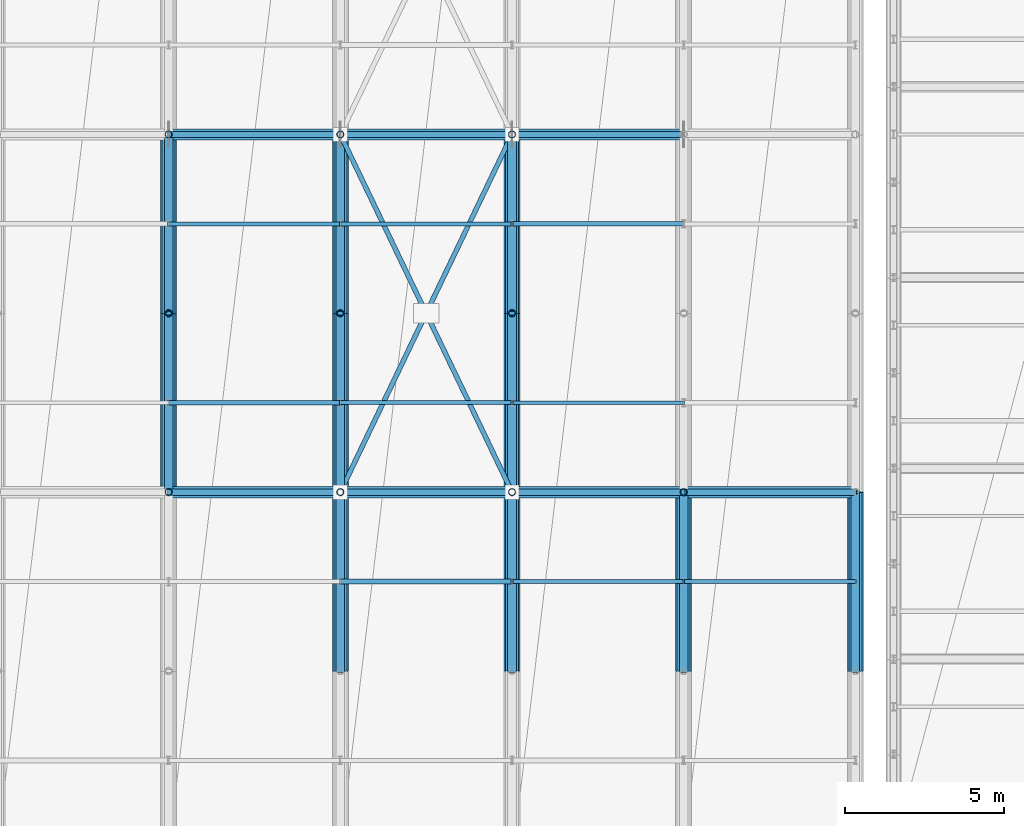
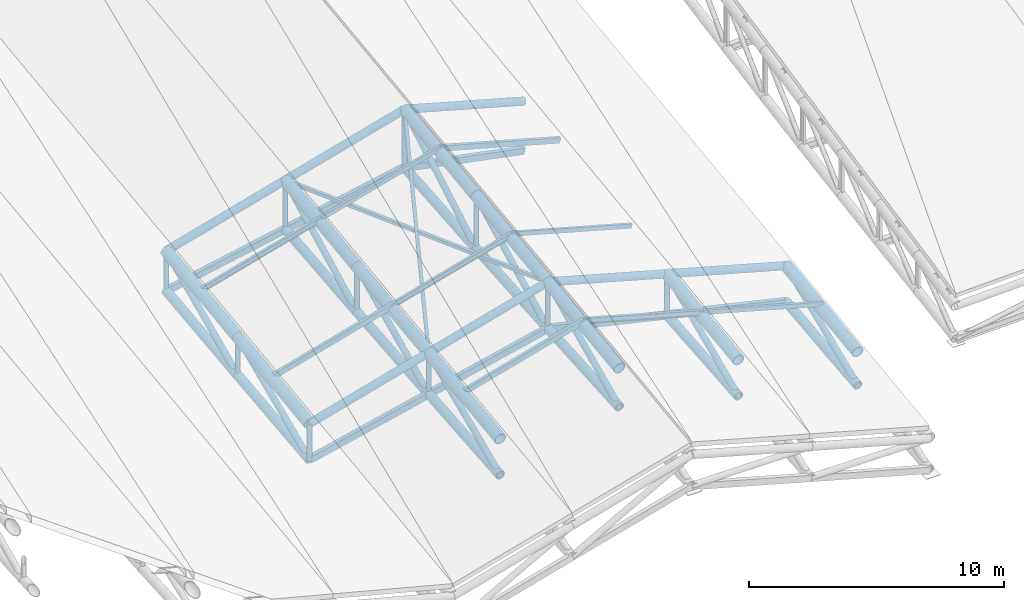
# One storey, part 34 of 109: 46 members, 20 beams.
"""IFC4 building model written with IfcOpenShell, lengths in metres."""

from ifc_helpers import new_model, si_unit, direction, frame, origin, origin_2d, place, context, subcontext, project, spatial, hollow_rectangle, hollow_circle, i_section, extrude, material, material_profile, profile_set, type_object, element, save


model = new_model("IFC4")

# Units and contexts
model_context = context("Model", 3, precision=1e-05, world=origin(), true_north=direction((0.0, 1.0)))
body_context = subcontext(model_context, "Body", "Model", "MODEL_VIEW")
ifc_project = project(units=[si_unit("LENGTHUNIT", "METRE"), si_unit("AREAUNIT", "SQUARE_METRE"), si_unit("VOLUMEUNIT", "CUBIC_METRE"), si_unit("PLANEANGLEUNIT", "RADIAN"), si_unit("MASSUNIT", "GRAM", prefix="KILO")], contexts=[model_context])

# Site, building, storey
site_placement = place(None, origin())
site = spatial("IfcSite", under=ifc_project, at=site_placement, CompositionType="ELEMENT")
building_placement = place(site_placement, origin())
building = spatial("IfcBuilding", under=site, at=building_placement, Name="Suirenkawa Promenade Aquatics Centre", CompositionType="ELEMENT")
storey_placement = place(building_placement, frame((0.0, 0.0, 22.800048828125)))
storey = spatial("IfcBuildingStorey", under=building, at=storey_placement, Name="ROOF", CompositionType="ELEMENT", Elevation=22.800048828125)

# Beams
ifc_material = material(Name="Steel IS 2062 E350 (Grade 350)", Category="steel")
ifc_material_profile_1 = material_profile(ifc_material, hollow_circle(Radius=0.202880859375, WallThickness=0.01806640625, at=origin_2d()), Name="CHS 406x18", Category="steel")
ifc_profile_set_1 = profile_set([ifc_material_profile_1], Name="Steel IS 2062 E350 (Grade 350)")
beam_type_1 = type_object("IfcBeamType", Name="BT-BC-CHS406", PredefinedType="BEAM", material=ifc_profile_set_1)
beam_1_placement = place(storey_placement, frame((133.199951171875, 61.64990234375, -15.27294921875), z_axis=(0.0, 0.993945133668, 0.109877528448), x_axis=(-1.0, 0.0, 0.0)))
element("IfcBeam", 1, at=beam_1_placement, inside=storey, type_object=beam_type_1, Name="ROOF TRUSS V1 bottom chord BC-01 BM-2260", PredefinedType="BEAM", context=body_context, shape_type="SweptSolid", body=[
    extrude(hollow_circle(Radius=0.202880859375, WallThickness=0.01806640625, at=origin_2d()), origin(), (0.0, 0.0, 1.0), 5.6591796875),
])
beam_2_placement = place(storey_placement, frame((133.199951171875, 67.27490234375, -14.651123046875), z_axis=(0.0, 0.993528502262, 0.11358307617), x_axis=(-1.0, 0.0, 0.0)))
element("IfcBeam", 2, at=beam_2_placement, inside=storey, type_object=beam_type_1, Name="ROOF TRUSS V1 bottom chord BC-01 BM-2262", PredefinedType="BEAM", context=body_context, shape_type="SweptSolid", body=[
    extrude(hollow_circle(Radius=0.202880859375, WallThickness=0.01806640625, at=origin_2d()), origin(), (0.0, 0.0, 1.0), 5.66162109375),
])
beam_3_placement = place(storey_placement, frame((138.60009765625, 56.02490234375, -14.508056640625), z_axis=(0.0, 0.996257281682, 0.086437426479), x_axis=(-1.0, 0.0, 0.0)))
element("IfcBeam", 3, at=beam_3_placement, inside=storey, type_object=beam_type_1, Name="ROOF TRUSS V1 bottom chord BC-01 BM-2286", PredefinedType="BEAM", context=body_context, shape_type="SweptSolid", body=[
    extrude(hollow_circle(Radius=0.202880859375, WallThickness=0.01806640625, at=origin_2d()), origin(), (0.0, 0.0, 1.0), 5.646240234375),
])
beam_4_placement = place(storey_placement, frame((138.60009765625, 61.64990234375, -14.02001953125), z_axis=(0.0, 0.99580129814, 0.091541108918), x_axis=(-1.0, 0.0, 0.0)))
element("IfcBeam", 4, at=beam_4_placement, inside=storey, type_object=beam_type_1, Name="ROOF TRUSS V1 bottom chord BC-01 BM-2288", PredefinedType="BEAM", context=body_context, shape_type="SweptSolid", body=[
    extrude(hollow_circle(Radius=0.202880859375, WallThickness=0.01806640625, at=origin_2d()), origin(), (0.0, 0.0, 1.0), 5.648681640625),
])
beam_5_placement = place(storey_placement, frame((138.60009765625, 67.27490234375, -13.5029296875), z_axis=(0.0, 0.995118108673, 0.098691183955), x_axis=(-1.0, 0.0, 0.0)))
element("IfcBeam", 5, at=beam_5_placement, inside=storey, type_object=beam_type_1, Name="ROOF TRUSS V1 bottom chord BC-01 BM-2290", PredefinedType="BEAM", context=body_context, shape_type="SweptSolid", body=[
    extrude(hollow_circle(Radius=0.202880859375, WallThickness=0.01806640625, at=origin_2d()), origin(), (0.0, 0.0, 1.0), 5.652587890625),
])
beam_6_placement = place(storey_placement, frame((144.0, 56.02490234375, -13.135009765625), z_axis=(0.0, 0.997879005221, 0.065096013231), x_axis=(-1.0, 0.0, 0.0)))
element("IfcBeam", 6, at=beam_6_placement, inside=storey, type_object=beam_type_1, Name="ROOF TRUSS V1 bottom chord BC-01 BM-2314", PredefinedType="BEAM", context=body_context, shape_type="SweptSolid", body=[
    extrude(hollow_circle(Radius=0.202880859375, WallThickness=0.01806640625, at=origin_2d()), origin(), (0.0, 0.0, 1.0), 5.636962890625),
])
beam_7_placement = place(storey_placement, frame((144.0, 61.64990234375, -12.76806640625), z_axis=(0.0, 0.997326957355, 0.07306805139), x_axis=(-1.0, 0.0, 0.0)))
element("IfcBeam", 7, at=beam_7_placement, inside=storey, type_object=beam_type_1, Name="ROOF TRUSS V1 bottom chord BC-01 BM-2316", PredefinedType="BEAM", context=body_context, shape_type="SweptSolid", body=[
    extrude(hollow_circle(Radius=0.202880859375, WallThickness=0.01806640625, at=origin_2d()), origin(), (0.0, 0.0, 1.0), 5.64013671875),
])
beam_8_placement = place(storey_placement, frame((144.0, 67.27490234375, -12.35595703125), z_axis=(0.0, 0.996455699182, 0.084119198564), x_axis=(-1.0, 0.0, 0.0)))
element("IfcBeam", 8, at=beam_8_placement, inside=storey, type_object=beam_type_1, Name="ROOF TRUSS V1 bottom chord BC-01 BM-2318", PredefinedType="BEAM", context=body_context, shape_type="SweptSolid", body=[
    extrude(hollow_circle(Radius=0.202880859375, WallThickness=0.01806640625, at=origin_2d()), origin(), (0.0, 0.0, 1.0), 5.64501953125),
])
beam_9_placement = place(storey_placement, frame((149.39990234375, 56.02490234375, -14.508056640625), z_axis=(0.0, 0.996257281682, 0.086437426479), x_axis=(-1.0, 0.0, 0.0)))
element("IfcBeam", 9, at=beam_9_placement, inside=storey, type_object=beam_type_1, Name="ROOF TRUSS V1 bottom chord BC-01 BM-2342", PredefinedType="BEAM", context=body_context, shape_type="SweptSolid", body=[
    extrude(hollow_circle(Radius=0.202880859375, WallThickness=0.01806640625, at=origin_2d()), origin(), (0.0, 0.0, 1.0), 5.646240234375),
])
beam_10_placement = place(storey_placement, frame((154.800048828125, 56.02490234375, -15.880126953125), z_axis=(0.0, 0.99422460669, 0.107319296738), x_axis=(-1.0, 0.0, 0.0)))
element("IfcBeam", 10, at=beam_10_placement, inside=storey, type_object=beam_type_1, Name="ROOF TRUSS V1 bottom chord BC-01 BM-2370", PredefinedType="BEAM", context=body_context, shape_type="SweptSolid", body=[
    extrude(hollow_circle(Radius=0.202880859375, WallThickness=0.01806640625, at=origin_2d()), origin(), (0.0, 0.0, 1.0), 5.65771484375),
])
ifc_material_profile_2 = material_profile(ifc_material, hollow_circle(Radius=0.25390625, WallThickness=0.02392578125, at=origin_2d()), Name="CHS 508x24", Category="steel")
ifc_profile_set_2 = profile_set([ifc_material_profile_2], Name="Steel IS 2062 E350 (Grade 350)")
beam_type_2 = type_object("IfcBeamType", Name="BT-TC-CHS508", PredefinedType="BEAM", material=ifc_profile_set_2)
for number, where, z_axis, x_axis, name in (
    (11, (133.199951171875, 61.64990234375, -13.550048828125), (0.0, 0.991793720609, 0.127848409297), (-1.0, 0.0, 0.0), "ROOF TRUSS V1 top chord TC-02 BM-2259"),
    (12, (133.199951171875, 67.27490234375, -12.824951171875), (0.0, 0.991799178012, 0.127806065951), (-1.0, 0.0, 0.0), "ROOF TRUSS V1 top chord TC-02 BM-2261"),
    (13, (138.60009765625, 56.02490234375, -12.775146484375), (0.0, 0.991793720609, 0.127848409297), (-1.0, 0.0, 0.0), "ROOF TRUSS V1 top chord TC-02 BM-2285"),
    (14, (138.60009765625, 61.64990234375, -12.050048828125), (0.0, 0.991793720609, 0.127848409297), (-1.0, 0.0, 0.0), "ROOF TRUSS V1 top chord TC-02 BM-2287"),
    (15, (138.60009765625, 67.27490234375, -11.324951171875), (0.0, 0.991799178012, 0.127806065951), (-1.0, 0.0, 0.0), "ROOF TRUSS V1 top chord TC-02 BM-2289"),
    (16, (144.0, 56.02490234375, -11.275146484375), (0.0, 0.991793720609, 0.127848409297), (-1.0, 0.0, 0.0), "ROOF TRUSS V1 top chord TC-02 BM-2313"),
    (17, (144.0, 61.64990234375, -10.550048828125), (0.0, 0.991793720609, 0.127848409297), (-1.0, 0.0, 0.0), "ROOF TRUSS V1 top chord TC-02 BM-2315"),
    (18, (144.0, 67.27490234375, -9.824951171875), (0.0, 0.991799178012, 0.127806065951), (-1.0, 0.0, 0.0), "ROOF TRUSS V1 top chord TC-02 BM-2317"),
    (19, (149.39990234375, 56.02490234375, -12.775146484375), (0.0, 0.991793720609, 0.127848409297), (-1.0, 0.0, 0.0), "ROOF TRUSS V1 top chord TC-02 BM-2341"),
    (20, (154.800048828125, 56.02490234375, -14.275146484375), (0.0, 0.991793720609, 0.127848409297), (-1.0, 0.0, 0.0), "ROOF TRUSS V1 top chord TC-02 BM-2369"),
):
    element("IfcBeam", number, at=place(storey_placement, frame(where, z_axis=z_axis, x_axis=x_axis)), inside=storey, type_object=beam_type_2, Name=name, PredefinedType="BEAM", context=body_context, shape_type="SweptSolid", body=[
        extrude(hollow_circle(Radius=0.25390625, WallThickness=0.02392578125, at=origin_2d()), origin(), (0.0, 0.0, 1.0), 5.671630859375),
    ])

# Members
ifc_material_profile_3 = material_profile(ifc_material, hollow_rectangle(XDim=0.14990234375, YDim=0.14990234375, WallThickness=0.008056640625, at=origin_2d()), Name="SHS 150x150x8", Category="steel")
ifc_profile_set_3 = profile_set([ifc_material_profile_3], Name="Steel IS 2062 E350 (Grade 350)")
member_type_1 = type_object("IfcMemberType", Name="MT-BRACE-SHS150", PredefinedType="BRACE", material=ifc_profile_set_3)
member_1_placement = place(storey_placement, frame((138.60009765625, 61.64990234375, -12.050048828125), z_axis=(0.421117950341, 0.877344929548, 0.230055529161), x_axis=(-0.901526110403, 0.432724707246, 0.0)))
element("IfcMember", 21, at=member_1_placement, inside=storey, type_object=member_type_1, Name="ROOF TRUSS V1 continuous plan brace BF-02 MB-0956", PredefinedType="BRACE", context=body_context, shape_type="SweptSolid", body=[
    extrude(hollow_rectangle(XDim=0.14990234375, YDim=0.14990234375, WallThickness=0.008056640625, at=origin_2d()), origin(), (0.0, 0.0, 1.0), 12.82275390625),
])
member_2_placement = place(storey_placement, frame((144.0, 61.64990234375, -10.550048828125), z_axis=(-0.432727524929, 0.901515676935, -0.004046406999), x_axis=(-0.901523057468, -0.432731067585, 0.0)))
element("IfcMember", 22, at=member_2_placement, inside=storey, type_object=member_type_1, Name="ROOF TRUSS V1 split plan brace A BF-02 MB-0957", PredefinedType="BRACE", context=body_context, shape_type="SweptSolid", body=[
    extrude(hollow_rectangle(XDim=0.14990234375, YDim=0.14990234375, WallThickness=0.008056640625, at=origin_2d()), origin(), (0.0, 0.0, 1.0), 6.154296875),
])
member_3_placement = place(storey_placement, frame((141.262939453125, 67.35205078125, -10.574951171875), z_axis=(-0.432710687901, 0.901523578607, -0.004086293284), x_axis=(-0.901531105428, -0.432714300603, 0.0)))
element("IfcMember", 23, at=member_3_placement, inside=storey, type_object=member_type_1, Name="ROOF TRUSS V1 split plan brace B BF-02 MB-0958", PredefinedType="BRACE", context=body_context, shape_type="SweptSolid", body=[
    extrude(hollow_rectangle(XDim=0.14990234375, YDim=0.14990234375, WallThickness=0.008056640625, at=origin_2d()), origin(), (0.0, 0.0, 1.0), 6.15380859375),
])
ifc_material_profile_4 = material_profile(ifc_material, hollow_circle(Radius=0.177978515625, WallThickness=0.01611328125, at=origin_2d()), Name="CHS 356x16", Category="steel")
ifc_profile_set_4 = profile_set([ifc_material_profile_4], Name="Steel IS 2062 E350 (Grade 350)")
member_type_2 = type_object("IfcMemberType", Name="MT-CHORD-CHS356", PredefinedType="CHORD", material=ifc_profile_set_4)
member_4_placement = place(storey_placement, frame((133.199951171875, 61.64990234375, -13.550048828125), z_axis=(0.963519781844, 0.0, 0.267637123724), x_axis=(0.0, 1.0, 0.0)))
element("IfcMember", 24, at=member_4_placement, inside=storey, type_object=member_type_2, Name="ROOF TRUSS V1 tie chord CH-02 MB-0720", PredefinedType="CHORD", context=body_context, shape_type="SweptSolid", body=[
    extrude(hollow_circle(Radius=0.177978515625, WallThickness=0.01611328125, at=origin_2d()), origin(), (0.0, 0.0, 1.0), 5.6044921875),
])
for number, where, z_axis, x_axis, name in (
    (25, (138.60009765625, 61.64990234375, -12.050048828125), (0.963516661409, 0.0, 0.267648357342), (0.0, 1.0, 0.0), "ROOF TRUSS V1 tie chord CH-02 MB-0722"),
    (26, (144.0, 61.64990234375, -10.550048828125), (0.963516661409, 0.0, -0.267648357342), (0.0, 1.0, 0.0), "ROOF TRUSS V1 tie chord CH-02 MB-0724"),
):
    element("IfcMember", number, at=place(storey_placement, frame(where, z_axis=z_axis, x_axis=x_axis)), inside=storey, type_object=member_type_2, Name=name, PredefinedType="CHORD", context=body_context, shape_type="SweptSolid", body=[
        extrude(hollow_circle(Radius=0.177978515625, WallThickness=0.01611328125, at=origin_2d()), origin(), (0.0, 0.0, 1.0), 5.604248046875),
    ])
for number, where, z_axis, x_axis, name in (
    (27, (149.39990234375, 61.64990234375, -12.050048828125), (0.963519781844, 0.0, -0.267637123724), (0.0, 1.0, 0.0), "ROOF TRUSS V1 tie chord CH-02 MB-0726"),
    (28, (133.199951171875, 72.89990234375, -12.10009765625), (0.963519781844, 0.0, 0.267637123724), (0.0, 1.0, 0.0), "ROOF TRUSS V1 tie chord CH-02 MB-0760"),
):
    element("IfcMember", number, at=place(storey_placement, frame(where, z_axis=z_axis, x_axis=x_axis)), inside=storey, type_object=member_type_2, Name=name, PredefinedType="CHORD", context=body_context, shape_type="SweptSolid", body=[
        extrude(hollow_circle(Radius=0.177978515625, WallThickness=0.01611328125, at=origin_2d()), origin(), (0.0, 0.0, 1.0), 5.6044921875),
    ])
for number, where, z_axis, x_axis, name in (
    (29, (138.60009765625, 72.89990234375, -10.60009765625), (0.963516661409, 0.0, 0.267648357342), (0.0, 1.0, 0.0), "ROOF TRUSS V1 tie chord CH-02 MB-0762"),
    (30, (144.0, 72.89990234375, -9.10009765625), (0.963516661409, 0.0, -0.267648357342), (0.0, 1.0, 0.0), "ROOF TRUSS V1 tie chord CH-02 MB-0764"),
):
    element("IfcMember", number, at=place(storey_placement, frame(where, z_axis=z_axis, x_axis=x_axis)), inside=storey, type_object=member_type_2, Name=name, PredefinedType="CHORD", context=body_context, shape_type="SweptSolid", body=[
        extrude(hollow_circle(Radius=0.177978515625, WallThickness=0.01611328125, at=origin_2d()), origin(), (0.0, 0.0, 1.0), 5.604248046875),
    ])
ifc_material_profile_5 = material_profile(ifc_material, hollow_rectangle(XDim=0.199951171875, YDim=0.300048828125, WallThickness=0.011962890625, at=origin_2d()), Name="RHS 300x200x12", Category="steel")
ifc_profile_set_5 = profile_set([ifc_material_profile_5], Name="Steel IS 2062 E350 (Grade 350)")
member_type_3 = type_object("IfcMemberType", Name="MT-CHORD-RHS300", PredefinedType="CHORD", material=ifc_profile_set_5)
member_5_placement = place(storey_placement, frame((133.199951171875, 61.64990234375, -15.27294921875), z_axis=(0.974124043875, 0.0, 0.226014041917), x_axis=(0.0, 1.0, 0.0)))
element("IfcMember", 31, at=member_5_placement, inside=storey, type_object=member_type_3, Name="ROOF TRUSS V1 bottom tie CH-03 MB-0721", PredefinedType="CHORD", context=body_context, shape_type="SweptSolid", body=[
    extrude(hollow_rectangle(XDim=0.199951171875, YDim=0.300048828125, WallThickness=0.011962890625, at=origin_2d()), origin(), (0.0, 0.0, 1.0), 5.543701171875),
])
for number, where, z_axis, x_axis, name in (
    (32, (138.60009765625, 61.64990234375, -14.02001953125), (0.974160569017, 0.0, 0.225856560173), (0.0, 1.0, 0.0), "ROOF TRUSS V1 bottom tie CH-03 MB-0723"),
    (33, (144.0, 61.64990234375, -12.76806640625), (0.974160569017, 0.0, -0.225856560173), (0.0, 1.0, 0.0), "ROOF TRUSS V1 bottom tie CH-03 MB-0725"),
):
    element("IfcMember", number, at=place(storey_placement, frame(where, z_axis=z_axis, x_axis=x_axis)), inside=storey, type_object=member_type_3, Name=name, PredefinedType="CHORD", context=body_context, shape_type="SweptSolid", body=[
        extrude(hollow_rectangle(XDim=0.199951171875, YDim=0.300048828125, WallThickness=0.011962890625, at=origin_2d()), origin(), (0.0, 0.0, 1.0), 5.543212890625),
    ])
member_6_placement = place(storey_placement, frame((149.39990234375, 61.64990234375, -14.02001953125), z_axis=(0.974124043875, 0.0, -0.226014041917), x_axis=(0.0, 1.0, 0.0)))
element("IfcMember", 34, at=member_6_placement, inside=storey, type_object=member_type_3, Name="ROOF TRUSS V1 bottom tie CH-03 MB-0727", PredefinedType="CHORD", context=body_context, shape_type="SweptSolid", body=[
    extrude(hollow_rectangle(XDim=0.199951171875, YDim=0.300048828125, WallThickness=0.011962890625, at=origin_2d()), origin(), (0.0, 0.0, 1.0), 5.543701171875),
])
for number, where, z_axis, x_axis, name in (
    (35, (133.199951171875, 72.89990234375, -14.008056640625), (0.981171587341, 0.0, 0.193138075468), (0.0, 1.0, 0.0), "ROOF TRUSS V1 bottom tie CH-03 MB-0761"),
    (36, (138.60009765625, 72.89990234375, -12.945068359375), (0.981136291733, 0.0, 0.193317296291), (0.0, 1.0, 0.0), "ROOF TRUSS V1 bottom tie CH-03 MB-0763"),
    (37, (144.0, 72.89990234375, -11.881103515625), (0.981136291733, 0.0, -0.193317296291), (0.0, 1.0, 0.0), "ROOF TRUSS V1 bottom tie CH-03 MB-0765"),
):
    element("IfcMember", number, at=place(storey_placement, frame(where, z_axis=z_axis, x_axis=x_axis)), inside=storey, type_object=member_type_3, Name=name, PredefinedType="CHORD", context=body_context, shape_type="SweptSolid", body=[
        extrude(hollow_rectangle(XDim=0.199951171875, YDim=0.300048828125, WallThickness=0.011962890625, at=origin_2d()), origin(), (0.0, 0.0, 1.0), 5.503662109375),
    ])
ifc_material_profile_6 = material_profile(ifc_material, i_section(OverallWidth=0.125, OverallDepth=0.25, WebThickness=0.007080078125, FlangeThickness=0.012939453125, at=origin_2d()), Name="ISMB 250", Category="steel")
ifc_profile_set_6 = profile_set([ifc_material_profile_6], Name="Steel IS 2062 E350 (Grade 350)")
member_type_4 = type_object("IfcMemberType", Name="MT-PURLIN-ISMB250", PredefinedType="PURLIN", material=ifc_profile_set_6)
member_7_placement = place(storey_placement, frame((133.199951171875, 70.087890625, -12.240966796875), z_axis=(0.963519781844, 0.0, 0.267637123724), x_axis=(0.0, 1.0, 0.0)))
element("IfcMember", 38, at=member_7_placement, inside=storey, type_object=member_type_4, Name="ROOF TRUSS Roof purlin PU-04 MB-2271", PredefinedType="PURLIN", context=body_context, shape_type="SweptSolid", body=[
    extrude(i_section(OverallWidth=0.125, OverallDepth=0.25, WebThickness=0.007080078125, FlangeThickness=0.012939453125, at=origin_2d()), origin(), (0.0, 0.0, 1.0), 5.6044921875),
])
for number, where, z_axis, x_axis, name in (
    (39, (138.60009765625, 64.462890625, -11.466064453125), (0.963516661409, 0.0, 0.267648357342), (0.0, 1.0, 0.0), "ROOF TRUSS Roof purlin PU-04 MB-2305"),
    (40, (144.0, 58.8369140625, -10.692138671875), (0.963516661409, 0.0, -0.267648357342), (0.0, 1.0, 0.0), "ROOF TRUSS Roof purlin PU-04 MB-2339"),
):
    element("IfcMember", number, at=place(storey_placement, frame(where, z_axis=z_axis, x_axis=x_axis)), inside=storey, type_object=member_type_4, Name=name, PredefinedType="PURLIN", context=body_context, shape_type="SweptSolid", body=[
        extrude(i_section(OverallWidth=0.125, OverallDepth=0.25, WebThickness=0.007080078125, FlangeThickness=0.012939453125, at=origin_2d()), origin(), (0.0, 0.0, 1.0), 5.604248046875),
    ])
ifc_material_profile_7 = material_profile(ifc_material, hollow_rectangle(XDim=0.1201171875, YDim=0.199951171875, WallThickness=0.008056640625, at=origin_2d()), Name="RHS 200x120x8", Category="steel")
ifc_profile_set_7 = profile_set([ifc_material_profile_7], Name="Steel IS 2062 E350 (Grade 350)")
member_type_5 = type_object("IfcMemberType", Name="MT-PURLIN-RHS200", PredefinedType="PURLIN", material=ifc_profile_set_7)
for number, where, z_axis, x_axis, name in (
    (41, (138.60009765625, 70.087890625, -10.716064453125), (0.963516661409, 0.0, 0.267648357342), (0.0, 1.0, 0.0), "ROOF TRUSS Roof purlin PU-02 MB-2307"),
    (42, (144.0, 64.462890625, -9.941162109375), (0.963516661409, 0.0, -0.267648357342), (0.0, 1.0, 0.0), "ROOF TRUSS Roof purlin PU-02 MB-2341"),
):
    element("IfcMember", number, at=place(storey_placement, frame(where, z_axis=z_axis, x_axis=x_axis)), inside=storey, type_object=member_type_5, Name=name, PredefinedType="PURLIN", context=body_context, shape_type="SweptSolid", body=[
        extrude(hollow_rectangle(XDim=0.1201171875, YDim=0.199951171875, WallThickness=0.008056640625, at=origin_2d()), origin(), (0.0, 0.0, 1.0), 5.604248046875),
    ])
member_8_placement = place(storey_placement, frame((149.39990234375, 58.8369140625, -12.166015625), z_axis=(0.963519781844, 0.0, -0.267637123724), x_axis=(0.0, 1.0, 0.0)))
element("IfcMember", 43, at=member_8_placement, inside=storey, type_object=member_type_5, Name="ROOF TRUSS Roof purlin PU-02 MB-2375", PredefinedType="PURLIN", context=body_context, shape_type="SweptSolid", body=[
    extrude(hollow_rectangle(XDim=0.1201171875, YDim=0.199951171875, WallThickness=0.008056640625, at=origin_2d()), origin(), (0.0, 0.0, 1.0), 5.6044921875),
])
ifc_material_profile_8 = material_profile(ifc_material, hollow_rectangle(XDim=0.14990234375, YDim=0.25, WallThickness=0.010009765625, at=origin_2d()), Name="RHS 250x150x10", Category="steel")
ifc_profile_set_8 = profile_set([ifc_material_profile_8], Name="Steel IS 2062 E350 (Grade 350)")
member_type_6 = type_object("IfcMemberType", Name="MT-PURLIN-RHS250", PredefinedType="PURLIN", material=ifc_profile_set_8)
member_9_placement = place(storey_placement, frame((133.199951171875, 64.462890625, -12.968017578125), z_axis=(0.963519781844, 0.0, 0.267637123724), x_axis=(0.0, 1.0, 0.0)))
element("IfcMember", 44, at=member_9_placement, inside=storey, type_object=member_type_6, Name="ROOF TRUSS Roof purlin PU-03 MB-2269", PredefinedType="PURLIN", context=body_context, shape_type="SweptSolid", body=[
    extrude(hollow_rectangle(XDim=0.14990234375, YDim=0.25, WallThickness=0.010009765625, at=origin_2d()), origin(), (0.0, 0.0, 1.0), 5.6044921875),
])
for number, where, z_axis, x_axis, name in (
    (45, (138.60009765625, 58.8369140625, -12.193115234375), (0.963516661409, 0.0, 0.267648357342), (0.0, 1.0, 0.0), "ROOF TRUSS Roof purlin PU-03 MB-2303"),
    (46, (144.0, 70.087890625, -9.2431640625), (0.963516661409, 0.0, -0.267648357342), (0.0, 1.0, 0.0), "ROOF TRUSS Roof purlin PU-03 MB-2343"),
):
    element("IfcMember", number, at=place(storey_placement, frame(where, z_axis=z_axis, x_axis=x_axis)), inside=storey, type_object=member_type_6, Name=name, PredefinedType="PURLIN", context=body_context, shape_type="SweptSolid", body=[
        extrude(hollow_rectangle(XDim=0.14990234375, YDim=0.25, WallThickness=0.010009765625, at=origin_2d()), origin(), (0.0, 0.0, 1.0), 5.604248046875),
    ])
ifc_material_profile_9 = material_profile(ifc_material, hollow_circle(Radius=0.110107421875, WallThickness=0.010009765625, at=origin_2d()), Name="CHS 220x10", Category="steel")
ifc_profile_set_9 = profile_set([ifc_material_profile_9], Name="Steel IS 2062 E350 (Grade 350)")
member_type_7 = type_object("IfcMemberType", Name="MT-WEB-CHS220", PredefinedType="BRACE", material=ifc_profile_set_9)
member_10_placement = place(storey_placement, frame((133.199951171875, 61.64990234375, -15.27294921875), z_axis=(0.0, 0.0, 1.0), x_axis=(1.0, 0.0, 0.0)))
element("IfcMember", 47, at=member_10_placement, inside=storey, type_object=member_type_7, Name="ROOF TRUSS V1 web post TD-01 MB-0448", PredefinedType="BRACE", context=body_context, shape_type="SweptSolid", body=[
    extrude(hollow_circle(Radius=0.110107421875, WallThickness=0.010009765625, at=origin_2d()), origin(), (0.0, 0.0, 1.0), 1.722900390625),
])
member_11_placement = place(storey_placement, frame((133.199951171875, 67.27490234375, -14.651123046875), z_axis=(0.0, 0.0, 1.0), x_axis=(1.0, 0.0, 0.0)))
element("IfcMember", 48, at=member_11_placement, inside=storey, type_object=member_type_7, Name="ROOF TRUSS V1 web post TD-01 MB-0449", PredefinedType="BRACE", context=body_context, shape_type="SweptSolid", body=[
    extrude(hollow_circle(Radius=0.110107421875, WallThickness=0.010009765625, at=origin_2d()), origin(), (0.0, 0.0, 1.0), 1.826171875),
])
member_12_placement = place(storey_placement, frame((133.199951171875, 72.89990234375, -14.008056640625), z_axis=(0.0, 0.0, 1.0), x_axis=(1.0, 0.0, 0.0)))
element("IfcMember", 49, at=member_12_placement, inside=storey, type_object=member_type_7, Name="ROOF TRUSS V1 web post TD-01 MB-0450", PredefinedType="BRACE", context=body_context, shape_type="SweptSolid", body=[
    extrude(hollow_circle(Radius=0.110107421875, WallThickness=0.010009765625, at=origin_2d()), origin(), (0.0, 0.0, 1.0), 1.907958984375),
])
member_13_placement = place(storey_placement, frame((138.60009765625, 61.64990234375, -14.02001953125), z_axis=(0.0, 0.0, 1.0), x_axis=(1.0, 0.0, 0.0)))
element("IfcMember", 50, at=member_13_placement, inside=storey, type_object=member_type_7, Name="ROOF TRUSS V1 web post TD-01 MB-0475", PredefinedType="BRACE", context=body_context, shape_type="SweptSolid", body=[
    extrude(hollow_circle(Radius=0.110107421875, WallThickness=0.010009765625, at=origin_2d()), origin(), (0.0, 0.0, 1.0), 1.969970703125),
])
member_14_placement = place(storey_placement, frame((138.60009765625, 67.27490234375, -13.5029296875), z_axis=(0.0, 0.0, 1.0), x_axis=(1.0, 0.0, 0.0)))
element("IfcMember", 51, at=member_14_placement, inside=storey, type_object=member_type_7, Name="ROOF TRUSS V1 web post TD-01 MB-0476", PredefinedType="BRACE", context=body_context, shape_type="SweptSolid", body=[
    extrude(hollow_circle(Radius=0.110107421875, WallThickness=0.010009765625, at=origin_2d()), origin(), (0.0, 0.0, 1.0), 2.177978515625),
])
member_15_placement = place(storey_placement, frame((138.60009765625, 72.89990234375, -12.945068359375), z_axis=(0.0, 0.0, 1.0), x_axis=(1.0, 0.0, 0.0)))
element("IfcMember", 52, at=member_15_placement, inside=storey, type_object=member_type_7, Name="ROOF TRUSS V1 web post TD-01 MB-0477", PredefinedType="BRACE", context=body_context, shape_type="SweptSolid", body=[
    extrude(hollow_circle(Radius=0.110107421875, WallThickness=0.010009765625, at=origin_2d()), origin(), (0.0, 0.0, 1.0), 2.344970703125),
])
member_16_placement = place(storey_placement, frame((144.0, 61.64990234375, -12.76806640625), z_axis=(0.0, 0.0, 1.0), x_axis=(1.0, 0.0, 0.0)))
element("IfcMember", 53, at=member_16_placement, inside=storey, type_object=member_type_7, Name="ROOF TRUSS V1 web post TD-01 MB-0502", PredefinedType="BRACE", context=body_context, shape_type="SweptSolid", body=[
    extrude(hollow_circle(Radius=0.110107421875, WallThickness=0.010009765625, at=origin_2d()), origin(), (0.0, 0.0, 1.0), 2.218017578125),
])
member_17_placement = place(storey_placement, frame((144.0, 67.27490234375, -12.35595703125), z_axis=(0.0, 0.0, 1.0), x_axis=(1.0, 0.0, 0.0)))
element("IfcMember", 54, at=member_17_placement, inside=storey, type_object=member_type_7, Name="ROOF TRUSS V1 web post TD-01 MB-0503", PredefinedType="BRACE", context=body_context, shape_type="SweptSolid", body=[
    extrude(hollow_circle(Radius=0.110107421875, WallThickness=0.010009765625, at=origin_2d()), origin(), (0.0, 0.0, 1.0), 2.531005859375),
])
member_18_placement = place(storey_placement, frame((144.0, 72.89990234375, -11.881103515625), z_axis=(0.0, 0.0, 1.0), x_axis=(1.0, 0.0, 0.0)))
element("IfcMember", 55, at=member_18_placement, inside=storey, type_object=member_type_7, Name="ROOF TRUSS V1 web post TD-01 MB-0504", PredefinedType="BRACE", context=body_context, shape_type="SweptSolid", body=[
    extrude(hollow_circle(Radius=0.110107421875, WallThickness=0.010009765625, at=origin_2d()), origin(), (0.0, 0.0, 1.0), 2.781005859375),
])
member_19_placement = place(storey_placement, frame((149.39990234375, 61.64990234375, -14.02001953125), z_axis=(0.0, 0.0, 1.0), x_axis=(1.0, 0.0, 0.0)))
element("IfcMember", 56, at=member_19_placement, inside=storey, type_object=member_type_7, Name="ROOF TRUSS V1 web post TD-01 MB-0529", PredefinedType="BRACE", context=body_context, shape_type="SweptSolid", body=[
    extrude(hollow_circle(Radius=0.110107421875, WallThickness=0.010009765625, at=origin_2d()), origin(), (0.0, 0.0, 1.0), 1.969970703125),
])
ifc_material_profile_10 = material_profile(ifc_material, hollow_circle(Radius=0.136962890625, WallThickness=0.011962890625, at=origin_2d()), Name="CHS 274x12", Category="steel")
ifc_profile_set_10 = profile_set([ifc_material_profile_10], Name="Steel IS 2062 E350 (Grade 350)")
member_type_8 = type_object("IfcMemberType", Name="MT-WEB-CHS274", PredefinedType="BRACE", material=ifc_profile_set_10)
member_20_placement = place(storey_placement, frame((133.199951171875, 61.64990234375, -15.27294921875), z_axis=(0.0, 0.916930171452, 0.399047692238), x_axis=(-1.0, 0.0, 0.0)))
element("IfcMember", 57, at=member_20_placement, inside=storey, type_object=member_type_8, Name="ROOF TRUSS V1 web diagonal TD-02 MB-0435", PredefinedType="BRACE", context=body_context, shape_type="SweptSolid", body=[
    extrude(hollow_circle(Radius=0.136962890625, WallThickness=0.011962890625, at=origin_2d()), origin(), (0.0, 0.0, 1.0), 6.134521484375),
])
member_21_placement = place(storey_placement, frame((133.199951171875, 67.27490234375, -14.651123046875), z_axis=(0.0, 0.910719458776, 0.413025504547), x_axis=(-1.0, 0.0, 0.0)))
element("IfcMember", 58, at=member_21_placement, inside=storey, type_object=member_type_8, Name="ROOF TRUSS V1 web diagonal TD-02 MB-0436", PredefinedType="BRACE", context=body_context, shape_type="SweptSolid", body=[
    extrude(hollow_circle(Radius=0.136962890625, WallThickness=0.011962890625, at=origin_2d()), origin(), (0.0, 0.0, 1.0), 6.176513671875),
])
member_22_placement = place(storey_placement, frame((138.60009765625, 56.02490234375, -14.508056640625), z_axis=(0.0, 0.916332502177, 0.400418213191), x_axis=(-1.0, 0.0, 0.0)))
element("IfcMember", 59, at=member_22_placement, inside=storey, type_object=member_type_8, Name="ROOF TRUSS V1 web diagonal TD-02 MB-0461", PredefinedType="BRACE", context=body_context, shape_type="SweptSolid", body=[
    extrude(hollow_circle(Radius=0.136962890625, WallThickness=0.011962890625, at=origin_2d()), origin(), (0.0, 0.0, 1.0), 6.138671875),
])
member_23_placement = place(storey_placement, frame((138.60009765625, 61.64990234375, -14.02001953125), z_axis=(0.0, 0.901831281516, 0.432088347077), x_axis=(-1.0, 0.0, 0.0)))
element("IfcMember", 60, at=member_23_placement, inside=storey, type_object=member_type_8, Name="ROOF TRUSS V1 web diagonal TD-02 MB-0462", PredefinedType="BRACE", context=body_context, shape_type="SweptSolid", body=[
    extrude(hollow_circle(Radius=0.136962890625, WallThickness=0.011962890625, at=origin_2d()), origin(), (0.0, 0.0, 1.0), 6.2373046875),
])
member_24_placement = place(storey_placement, frame((138.60009765625, 67.27490234375, -13.5029296875), z_axis=(0.0, 0.888646009653, 0.45859379578), x_axis=(-1.0, 0.0, 0.0)))
element("IfcMember", 61, at=member_24_placement, inside=storey, type_object=member_type_8, Name="ROOF TRUSS V1 web diagonal TD-02 MB-0463", PredefinedType="BRACE", context=body_context, shape_type="SweptSolid", body=[
    extrude(hollow_circle(Radius=0.136962890625, WallThickness=0.011962890625, at=origin_2d()), origin(), (0.0, 0.0, 1.0), 6.329833984375),
])
member_25_placement = place(storey_placement, frame((144.0, 56.02490234375, -13.135009765625), z_axis=(0.0, 0.90864610954, 0.417567057631), x_axis=(-1.0, 0.0, 0.0)))
element("IfcMember", 62, at=member_25_placement, inside=storey, type_object=member_type_8, Name="ROOF TRUSS V1 web diagonal TD-02 MB-0488", PredefinedType="BRACE", context=body_context, shape_type="SweptSolid", body=[
    extrude(hollow_circle(Radius=0.136962890625, WallThickness=0.011962890625, at=origin_2d()), origin(), (0.0, 0.0, 1.0), 6.1904296875),
])
member_26_placement = place(storey_placement, frame((144.0, 61.64990234375, -12.76806640625), z_axis=(0.0, 0.886045964174, 0.463597400092), x_axis=(-1.0, 0.0, 0.0)))
element("IfcMember", 63, at=member_26_placement, inside=storey, type_object=member_type_8, Name="ROOF TRUSS V1 web diagonal TD-02 MB-0489", PredefinedType="BRACE", context=body_context, shape_type="SweptSolid", body=[
    extrude(hollow_circle(Radius=0.136962890625, WallThickness=0.011962890625, at=origin_2d()), origin(), (0.0, 0.0, 1.0), 6.348388671875),
])
member_27_placement = place(storey_placement, frame((144.0, 67.27490234375, -12.35595703125), z_axis=(0.0, 0.865474288597, 0.500953346907), x_axis=(-1.0, 0.0, 0.0)))
element("IfcMember", 64, at=member_27_placement, inside=storey, type_object=member_type_8, Name="ROOF TRUSS V1 web diagonal TD-02 MB-0490", PredefinedType="BRACE", context=body_context, shape_type="SweptSolid", body=[
    extrude(hollow_circle(Radius=0.136962890625, WallThickness=0.011962890625, at=origin_2d()), origin(), (0.0, 0.0, 1.0), 6.499267578125),
])
member_28_placement = place(storey_placement, frame((149.39990234375, 56.02490234375, -14.508056640625), z_axis=(0.0, 0.916332502177, 0.400418213191), x_axis=(-1.0, 0.0, 0.0)))
element("IfcMember", 65, at=member_28_placement, inside=storey, type_object=member_type_8, Name="ROOF TRUSS V1 web diagonal TD-02 MB-0515", PredefinedType="BRACE", context=body_context, shape_type="SweptSolid", body=[
    extrude(hollow_circle(Radius=0.136962890625, WallThickness=0.011962890625, at=origin_2d()), origin(), (0.0, 0.0, 1.0), 6.138671875),
])
member_29_placement = place(storey_placement, frame((154.800048828125, 56.02490234375, -15.880126953125), z_axis=(0.0, 0.923872167062, 0.382701213648), x_axis=(-1.0, 0.0, 0.0)))
element("IfcMember", 66, at=member_29_placement, inside=storey, type_object=member_type_8, Name="ROOF TRUSS V1 web diagonal TD-02 MB-0542", PredefinedType="BRACE", context=body_context, shape_type="SweptSolid", body=[
    extrude(hollow_circle(Radius=0.136962890625, WallThickness=0.011962890625, at=origin_2d()), origin(), (0.0, 0.0, 1.0), 6.088623046875),
])

save(model, "model.ifc")
